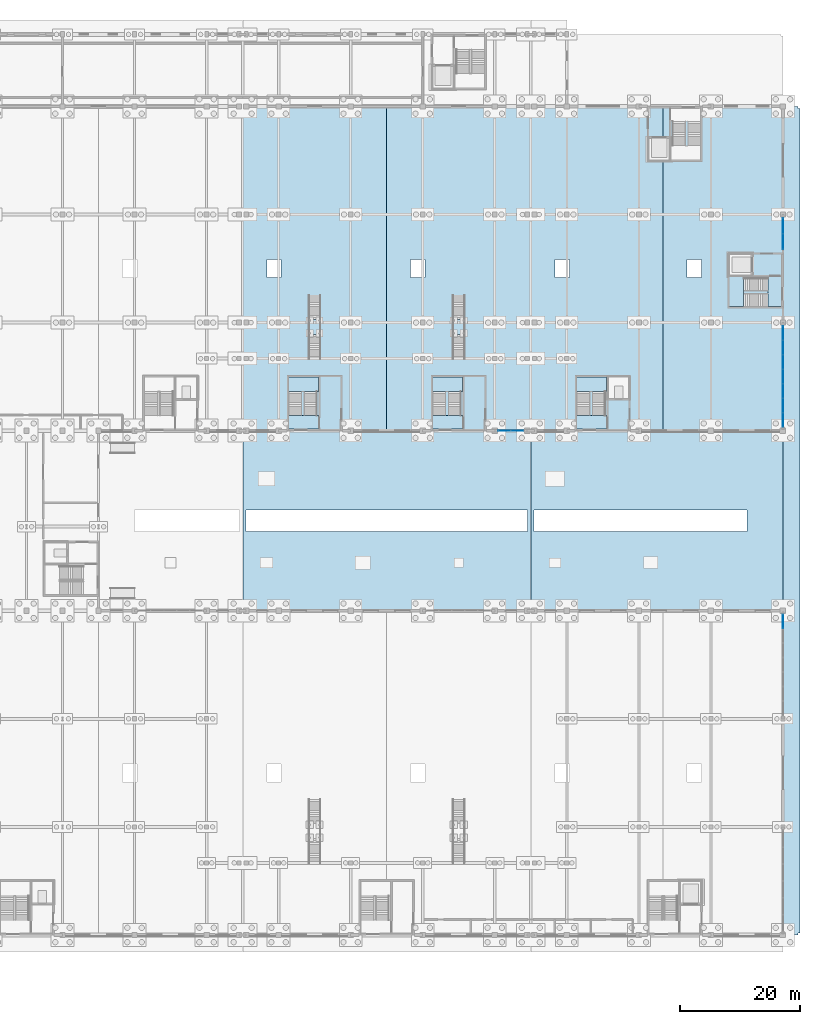
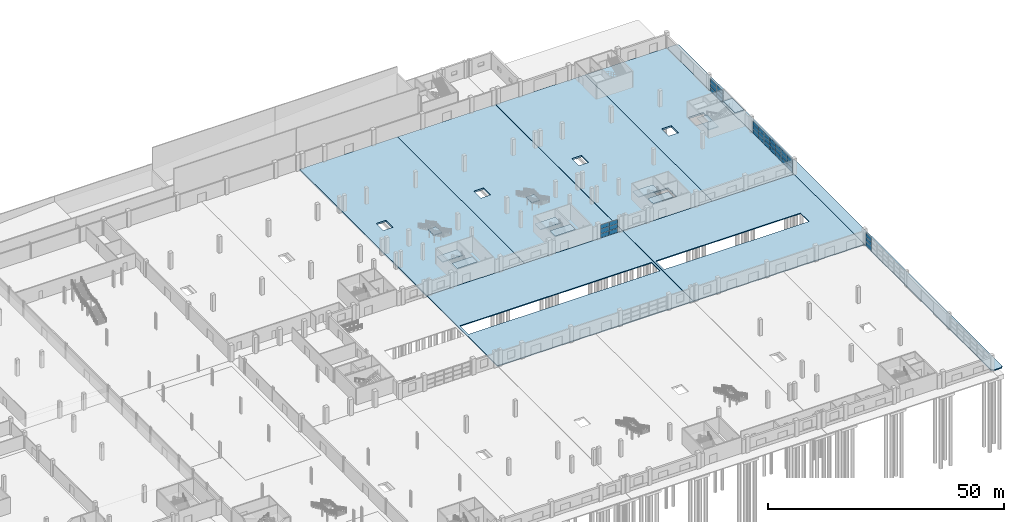
# One storey, part 50 of 77: 36 plates, 17 slabs, 10 elements without a shape of their own.
"""IFC4 building model written with IfcOpenShell, lengths in metres."""

from ifc_helpers import new_model, si_unit, direction, frame, origin, origin_2d, place, context, subcontext, project, spatial, polyline, rectangle, outline, extrude, material, layer, layer_set, type_object, element, aggregate, save


model = new_model("IFC4")

# Units and contexts
model_context = context("Model", 3, precision=1e-05, world=origin(), true_north=direction((0.0, 1.0)))
body_context = subcontext(model_context, "Body", "Model", "MODEL_VIEW")
ifc_project = project(units=[si_unit("LENGTHUNIT", "METRE"), si_unit("AREAUNIT", "SQUARE_METRE"), si_unit("VOLUMEUNIT", "CUBIC_METRE"), si_unit("PLANEANGLEUNIT", "RADIAN"), si_unit("MASSUNIT", "GRAM", prefix="KILO")], contexts=[model_context])

# Site, building, storey
site_placement = place(None, origin())
site = spatial("IfcSite", under=ifc_project, at=site_placement, CompositionType="ELEMENT")
building_placement = place(site_placement, origin())
building = spatial("IfcBuilding", under=site, at=building_placement, Name="Zilviju Railside Exhibition Hall", CompositionType="ELEMENT")
storey_placement = place(building_placement, origin())
storey = spatial("IfcBuildingStorey", under=building, at=storey_placement, Name="L01", CompositionType="ELEMENT", Elevation=0.0)

# Curtain wall, plates
ifc_material_1 = material(Name="Thermally broken aluminium-steel triple-glazed curtain wall", Category="steel")
ifc_layer_1 = layer(ifc_material_1, 0.179931640625)
ifc_layer_set_1 = layer_set([ifc_layer_1], Name="Thermally broken aluminium-steel triple-glazed curtain wall")
curtain_wall_type_1 = type_object("IfcCurtainWallType", Name="CW-BAY-03", PredefinedType="USERDEFINED", material=ifc_layer_set_1)
curtain_wall_1_placement = place(storey_placement, origin())
curtain_wall_1 = element("IfcCurtainWall", 1, at=curtain_wall_1_placement, inside=storey, type_object=curtain_wall_type_1, Name="North Hall East Glazed Gable L01 (84..102)", ObjectType="GLAZED CURTAIN WALL", PredefinedType="USERDEFINED")
ifc_material_2 = material(Name="Laminated acoustic double-glazed porch unit", Category="glass")
ifc_layer_2 = layer(ifc_material_2, 0.031982421875)
ifc_layer_set_2 = layer_set([ifc_layer_2], Name="Laminated acoustic double-glazed porch unit")
plate_type_1 = type_object("IfcPlateType", Name="CWP-IGU-32", PredefinedType="CURTAIN_PANEL", material=ifc_layer_set_2)
plate_1_placement = place(storey_placement, frame((216.0, 100.227783203125, 0.06005859375), z_axis=(0.0, 0.0, 1.0), x_axis=(0.0, -1.0, 0.0)))
plate_1 = element("IfcPlate", 2, at=plate_1_placement, type_object=plate_type_1, Name="CW-03 panel 1.1", PredefinedType="CURTAIN_PANEL", context=body_context, shape_type="SweptSolid", body=[
    extrude(rectangle(XDim=2.32421875, YDim=0.031982421875, at=origin_2d()), origin(), (0.0, 0.0, 1.0), 1.027099609375),
])
plate_2_placement = place(storey_placement, frame((216.0, 100.227783203125, 1.14697265625), z_axis=(0.0, 0.0, 1.0), x_axis=(0.0, -1.0, 0.0)))
plate_2 = element("IfcPlate", 3, at=plate_2_placement, type_object=plate_type_1, Name="CW-03 panel 1.2", PredefinedType="CURTAIN_PANEL", context=body_context, shape_type="SweptSolid", body=[
    extrude(rectangle(XDim=2.32421875, YDim=0.031982421875, at=origin_2d()), origin(), (0.0, 0.0, 1.0), 1.055908203125),
])
plate_3_placement = place(storey_placement, frame((216.0, 100.227783203125, 2.26318359375), z_axis=(0.0, 0.0, 1.0), x_axis=(0.0, -1.0, 0.0)))
plate_3 = element("IfcPlate", 4, at=plate_3_placement, type_object=plate_type_1, Name="CW-03 panel 1.3", PredefinedType="CURTAIN_PANEL", context=body_context, shape_type="SweptSolid", body=[
    extrude(rectangle(XDim=2.32421875, YDim=0.031982421875, at=origin_2d()), origin(), (0.0, 0.0, 1.0), 1.027099609375),
])
plate_4_placement = place(storey_placement, frame((216.0, 97.82861328125, 0.06005859375), z_axis=(0.0, 0.0, 1.0), x_axis=(0.0, -1.0, 0.0)))
plate_4 = element("IfcPlate", 5, at=plate_4_placement, type_object=plate_type_1, Name="CW-03 panel 2.1", PredefinedType="CURTAIN_PANEL", context=body_context, shape_type="SweptSolid", body=[
    extrude(rectangle(XDim=2.354248046875, YDim=0.031982421875, at=origin_2d()), origin(), (0.0, 0.0, 1.0), 1.027099609375),
])
plate_5_placement = place(storey_placement, frame((216.0, 97.82861328125, 1.14697265625), z_axis=(0.0, 0.0, 1.0), x_axis=(0.0, -1.0, 0.0)))
plate_5 = element("IfcPlate", 6, at=plate_5_placement, type_object=plate_type_1, Name="CW-03 panel 2.2", PredefinedType="CURTAIN_PANEL", context=body_context, shape_type="SweptSolid", body=[
    extrude(rectangle(XDim=2.354248046875, YDim=0.031982421875, at=origin_2d()), origin(), (0.0, 0.0, 1.0), 1.055908203125),
])
plate_6_placement = place(storey_placement, frame((216.0, 97.82861328125, 2.26318359375), z_axis=(0.0, 0.0, 1.0), x_axis=(0.0, -1.0, 0.0)))
plate_6 = element("IfcPlate", 7, at=plate_6_placement, type_object=plate_type_1, Name="CW-03 panel 2.3", PredefinedType="CURTAIN_PANEL", context=body_context, shape_type="SweptSolid", body=[
    extrude(rectangle(XDim=2.354248046875, YDim=0.031982421875, at=origin_2d()), origin(), (0.0, 0.0, 1.0), 1.027099609375),
])
plate_7_placement = place(storey_placement, frame((216.0, 95.414306640625, 0.06005859375), z_axis=(0.0, 0.0, 1.0), x_axis=(0.0, -1.0, 0.0)))
plate_7 = element("IfcPlate", 8, at=plate_7_placement, type_object=plate_type_1, Name="CW-03 panel 3.1", PredefinedType="CURTAIN_PANEL", context=body_context, shape_type="SweptSolid", body=[
    extrude(rectangle(XDim=2.354248046875, YDim=0.031982421875, at=origin_2d()), origin(), (0.0, 0.0, 1.0), 1.027099609375),
])
plate_8_placement = place(storey_placement, frame((216.0, 95.414306640625, 1.14697265625), z_axis=(0.0, 0.0, 1.0), x_axis=(0.0, -1.0, 0.0)))
plate_8 = element("IfcPlate", 9, at=plate_8_placement, type_object=plate_type_1, Name="CW-03 panel 3.2", PredefinedType="CURTAIN_PANEL", context=body_context, shape_type="SweptSolid", body=[
    extrude(rectangle(XDim=2.354248046875, YDim=0.031982421875, at=origin_2d()), origin(), (0.0, 0.0, 1.0), 1.055908203125),
])
plate_9_placement = place(storey_placement, frame((216.0, 95.414306640625, 2.26318359375), z_axis=(0.0, 0.0, 1.0), x_axis=(0.0, -1.0, 0.0)))
plate_9 = element("IfcPlate", 10, at=plate_9_placement, type_object=plate_type_1, Name="CW-03 panel 3.3", PredefinedType="CURTAIN_PANEL", context=body_context, shape_type="SweptSolid", body=[
    extrude(rectangle(XDim=2.354248046875, YDim=0.031982421875, at=origin_2d()), origin(), (0.0, 0.0, 1.0), 1.027099609375),
])
plate_10_placement = place(storey_placement, frame((216.0, 93.0, 0.06005859375), z_axis=(0.0, 0.0, 1.0), x_axis=(0.0, -1.0, 0.0)))
plate_10 = element("IfcPlate", 11, at=plate_10_placement, type_object=plate_type_1, Name="CW-03 panel 4.1", PredefinedType="CURTAIN_PANEL", context=body_context, shape_type="SweptSolid", body=[
    extrude(rectangle(XDim=2.354248046875, YDim=0.031982421875, at=origin_2d()), origin(), (0.0, 0.0, 1.0), 1.027099609375),
])
plate_11_placement = place(storey_placement, frame((216.0, 93.0, 1.14697265625), z_axis=(0.0, 0.0, 1.0), x_axis=(0.0, -1.0, 0.0)))
plate_11 = element("IfcPlate", 12, at=plate_11_placement, type_object=plate_type_1, Name="CW-03 panel 4.2", PredefinedType="CURTAIN_PANEL", context=body_context, shape_type="SweptSolid", body=[
    extrude(rectangle(XDim=2.354248046875, YDim=0.031982421875, at=origin_2d()), origin(), (0.0, 0.0, 1.0), 1.055908203125),
])
plate_12_placement = place(storey_placement, frame((216.0, 93.0, 2.26318359375), z_axis=(0.0, 0.0, 1.0), x_axis=(0.0, -1.0, 0.0)))
plate_12 = element("IfcPlate", 13, at=plate_12_placement, type_object=plate_type_1, Name="CW-03 panel 4.3", PredefinedType="CURTAIN_PANEL", context=body_context, shape_type="SweptSolid", body=[
    extrude(rectangle(XDim=2.354248046875, YDim=0.031982421875, at=origin_2d()), origin(), (0.0, 0.0, 1.0), 1.027099609375),
])
plate_13_placement = place(storey_placement, frame((216.0, 90.585693359375, 0.06005859375), z_axis=(0.0, 0.0, 1.0), x_axis=(0.0, -1.0, 0.0)))
plate_13 = element("IfcPlate", 14, at=plate_13_placement, type_object=plate_type_1, Name="CW-03 panel 5.1", PredefinedType="CURTAIN_PANEL", context=body_context, shape_type="SweptSolid", body=[
    extrude(rectangle(XDim=2.354248046875, YDim=0.031982421875, at=origin_2d()), origin(), (0.0, 0.0, 1.0), 1.027099609375),
])
plate_14_placement = place(storey_placement, frame((216.0, 90.585693359375, 1.14697265625), z_axis=(0.0, 0.0, 1.0), x_axis=(0.0, -1.0, 0.0)))
plate_14 = element("IfcPlate", 15, at=plate_14_placement, type_object=plate_type_1, Name="CW-03 panel 5.2", PredefinedType="CURTAIN_PANEL", context=body_context, shape_type="SweptSolid", body=[
    extrude(rectangle(XDim=2.354248046875, YDim=0.031982421875, at=origin_2d()), origin(), (0.0, 0.0, 1.0), 1.055908203125),
])
plate_15_placement = place(storey_placement, frame((216.0, 90.585693359375, 2.26318359375), z_axis=(0.0, 0.0, 1.0), x_axis=(0.0, -1.0, 0.0)))
plate_15 = element("IfcPlate", 16, at=plate_15_placement, type_object=plate_type_1, Name="CW-03 panel 5.3", PredefinedType="CURTAIN_PANEL", context=body_context, shape_type="SweptSolid", body=[
    extrude(rectangle(XDim=2.354248046875, YDim=0.031982421875, at=origin_2d()), origin(), (0.0, 0.0, 1.0), 1.027099609375),
])
plate_16_placement = place(storey_placement, frame((216.0, 88.17138671875, 0.06005859375), z_axis=(0.0, 0.0, 1.0), x_axis=(0.0, -1.0, 0.0)))
plate_16 = element("IfcPlate", 17, at=plate_16_placement, type_object=plate_type_1, Name="CW-03 panel 6.1", PredefinedType="CURTAIN_PANEL", context=body_context, shape_type="SweptSolid", body=[
    extrude(rectangle(XDim=2.354248046875, YDim=0.031982421875, at=origin_2d()), origin(), (0.0, 0.0, 1.0), 1.027099609375),
])
plate_17_placement = place(storey_placement, frame((216.0, 88.17138671875, 1.14697265625), z_axis=(0.0, 0.0, 1.0), x_axis=(0.0, -1.0, 0.0)))
plate_17 = element("IfcPlate", 18, at=plate_17_placement, type_object=plate_type_1, Name="CW-03 panel 6.2", PredefinedType="CURTAIN_PANEL", context=body_context, shape_type="SweptSolid", body=[
    extrude(rectangle(XDim=2.354248046875, YDim=0.031982421875, at=origin_2d()), origin(), (0.0, 0.0, 1.0), 1.055908203125),
])
plate_18_placement = place(storey_placement, frame((216.0, 88.17138671875, 2.26318359375), z_axis=(0.0, 0.0, 1.0), x_axis=(0.0, -1.0, 0.0)))
plate_18 = element("IfcPlate", 19, at=plate_18_placement, type_object=plate_type_1, Name="CW-03 panel 6.3", PredefinedType="CURTAIN_PANEL", context=body_context, shape_type="SweptSolid", body=[
    extrude(rectangle(XDim=2.354248046875, YDim=0.031982421875, at=origin_2d()), origin(), (0.0, 0.0, 1.0), 1.027099609375),
])
plate_19_placement = place(storey_placement, frame((216.0, 85.772216796875, 0.06005859375), z_axis=(0.0, 0.0, 1.0), x_axis=(0.0, -1.0, 0.0)))
plate_19 = element("IfcPlate", 20, at=plate_19_placement, type_object=plate_type_1, Name="CW-03 panel 7.1", PredefinedType="CURTAIN_PANEL", context=body_context, shape_type="SweptSolid", body=[
    extrude(rectangle(XDim=2.32421875, YDim=0.031982421875, at=origin_2d()), origin(), (0.0, 0.0, 1.0), 1.027099609375),
])
plate_20_placement = place(storey_placement, frame((216.0, 85.772216796875, 1.14697265625), z_axis=(0.0, 0.0, 1.0), x_axis=(0.0, -1.0, 0.0)))
plate_20 = element("IfcPlate", 21, at=plate_20_placement, type_object=plate_type_1, Name="CW-03 panel 7.2", PredefinedType="CURTAIN_PANEL", context=body_context, shape_type="SweptSolid", body=[
    extrude(rectangle(XDim=2.32421875, YDim=0.031982421875, at=origin_2d()), origin(), (0.0, 0.0, 1.0), 1.055908203125),
])
plate_21_placement = place(storey_placement, frame((216.0, 85.772216796875, 2.26318359375), z_axis=(0.0, 0.0, 1.0), x_axis=(0.0, -1.0, 0.0)))
plate_21 = element("IfcPlate", 22, at=plate_21_placement, type_object=plate_type_1, Name="CW-03 panel 7.3", PredefinedType="CURTAIN_PANEL", context=body_context, shape_type="SweptSolid", body=[
    extrude(rectangle(XDim=2.32421875, YDim=0.031982421875, at=origin_2d()), origin(), (0.0, 0.0, 1.0), 1.027099609375),
])
aggregate(curtain_wall_1, [plate_1, plate_2, plate_3, plate_4, plate_5, plate_6, plate_7, plate_8, plate_9, plate_10, plate_11, plate_12, plate_13, plate_14, plate_15, plate_16, plate_17, plate_18, plate_19, plate_20, plate_21])

ifc_layer_3 = layer(ifc_material_1, 0.179931640625)
ifc_layer_set_3 = layer_set([ifc_layer_3], Name="Thermally broken aluminium-steel triple-glazed curtain wall")
curtain_wall_type_2 = type_object("IfcCurtainWallType", Name="CW-BAY-02", PredefinedType="USERDEFINED", material=ifc_layer_set_3)
curtain_wall_2_placement = place(storey_placement, origin())
curtain_wall_2 = element("IfcCurtainWall", 23, at=curtain_wall_2_placement, inside=storey, type_object=curtain_wall_type_2, Name="North Hall Garden Court Curtain Wall L01 (168..173)", ObjectType="GLAZED CURTAIN WALL", PredefinedType="USERDEFINED")
ifc_material_3 = material(Name="Triple-glazed solar-control glass unit", Category="glass")
ifc_layer_4 = layer(ifc_material_3, 0.0380859375)
ifc_layer_set_4 = layer_set([ifc_layer_4], Name="Triple-glazed solar-control glass unit")
plate_type_2 = type_object("IfcPlateType", Name="CWP-IGU-38", PredefinedType="CURTAIN_PANEL", material=ifc_layer_set_4)
plate_22_placement = place(storey_placement, frame((171.7587890625, 84.0, 0.06494140625), z_axis=(0.0, 0.0, 1.0), x_axis=(-1.0, 0.0, 0.0)))
plate_22 = element("IfcPlate", 24, at=plate_22_placement, type_object=plate_type_2, Name="CW-02 panel 1.1", PredefinedType="CURTAIN_PANEL", context=body_context, shape_type="SweptSolid", body=[
    extrude(rectangle(XDim=2.052490234375, YDim=0.0380859375, at=origin_2d()), origin(), (0.0, 0.0, 1.0), 1.052490234375),
])
plate_23_placement = place(storey_placement, frame((171.7587890625, 84.0, 1.1826171875), z_axis=(0.0, 0.0, 1.0), x_axis=(-1.0, 0.0, 0.0)))
plate_23 = element("IfcPlate", 25, at=plate_23_placement, type_object=plate_type_2, Name="CW-02 panel 1.2", PredefinedType="CURTAIN_PANEL", context=body_context, shape_type="SweptSolid", body=[
    extrude(rectangle(XDim=2.052490234375, YDim=0.0380859375, at=origin_2d()), origin(), (0.0, 0.0, 1.0), 1.0849609375),
])
plate_24_placement = place(storey_placement, frame((171.7587890625, 84.0, 2.33251953125), z_axis=(0.0, 0.0, 1.0), x_axis=(-1.0, 0.0, 0.0)))
plate_24 = element("IfcPlate", 26, at=plate_24_placement, type_object=plate_type_2, Name="CW-02 panel 1.3", PredefinedType="CURTAIN_PANEL", context=body_context, shape_type="SweptSolid", body=[
    extrude(rectangle(XDim=2.052490234375, YDim=0.0380859375, at=origin_2d()), origin(), (0.0, 0.0, 1.0), 1.052490234375),
])
plate_25_placement = place(storey_placement, frame((169.641357421875, 84.0, 0.06494140625), z_axis=(0.0, 0.0, 1.0), x_axis=(-1.0, 0.0, 0.0)))
plate_25 = element("IfcPlate", 27, at=plate_25_placement, type_object=plate_type_2, Name="CW-02 panel 2.1", PredefinedType="CURTAIN_PANEL", context=body_context, shape_type="SweptSolid", body=[
    extrude(rectangle(XDim=2.052490234375, YDim=0.0380859375, at=origin_2d()), origin(), (0.0, 0.0, 1.0), 1.052490234375),
])
plate_26_placement = place(storey_placement, frame((169.641357421875, 84.0, 1.1826171875), z_axis=(0.0, 0.0, 1.0), x_axis=(-1.0, 0.0, 0.0)))
plate_26 = element("IfcPlate", 28, at=plate_26_placement, type_object=plate_type_2, Name="CW-02 panel 2.2", PredefinedType="CURTAIN_PANEL", context=body_context, shape_type="SweptSolid", body=[
    extrude(rectangle(XDim=2.052490234375, YDim=0.0380859375, at=origin_2d()), origin(), (0.0, 0.0, 1.0), 1.0849609375),
])
plate_27_placement = place(storey_placement, frame((169.641357421875, 84.0, 2.33251953125), z_axis=(0.0, 0.0, 1.0), x_axis=(-1.0, 0.0, 0.0)))
plate_27 = element("IfcPlate", 29, at=plate_27_placement, type_object=plate_type_2, Name="CW-02 panel 2.3", PredefinedType="CURTAIN_PANEL", context=body_context, shape_type="SweptSolid", body=[
    extrude(rectangle(XDim=2.052490234375, YDim=0.0380859375, at=origin_2d()), origin(), (0.0, 0.0, 1.0), 1.052490234375),
])
aggregate(curtain_wall_2, [plate_22, plate_23, plate_24, plate_25, plate_26, plate_27])

ifc_layer_5 = layer(ifc_material_1, 0.179931640625)
ifc_layer_set_5 = layer_set([ifc_layer_5], Name="Thermally broken aluminium-steel triple-glazed curtain wall")
curtain_wall_type_3 = type_object("IfcCurtainWallType", Name="CW-BAY-04", PredefinedType="USERDEFINED", material=ifc_layer_set_5)
curtain_wall_3_placement = place(storey_placement, origin())
curtain_wall_3 = element("IfcCurtainWall", 30, at=curtain_wall_3_placement, inside=storey, type_object=curtain_wall_type_3, Name="North Hall East Glazed Gable L01 (114..120)", ObjectType="GLAZED CURTAIN WALL", PredefinedType="USERDEFINED")
ifc_material_4 = material(Name="Insulated cobalt-blue enamelled spandrel glass panel", Category="glass")
ifc_layer_6 = layer(ifc_material_4, 0.052001953125)
ifc_layer_set_6 = layer_set([ifc_layer_6], Name="Insulated cobalt-blue enamelled spandrel glass panel")
plate_type_3 = type_object("IfcPlateType", Name="CWP-SPD-52", PredefinedType="CURTAIN_PANEL", material=ifc_layer_set_6)
plate_28_placement = place(storey_placement, frame((216.0, 118.10498046875, 0.080078125), z_axis=(0.0, 0.0, 1.0), x_axis=(0.0, -1.0, 0.0)))
plate_28 = element("IfcPlate", 31, at=plate_28_placement, type_object=plate_type_3, Name="CW-04 panel 1.1", PredefinedType="CURTAIN_PANEL", context=body_context, shape_type="SweptSolid", body=[
    extrude(rectangle(XDim=2.530029296875, YDim=0.052001953125, at=origin_2d()), origin(), (0.0, 0.0, 1.0), 0.9970703125),
])
plate_29_placement = place(storey_placement, frame((216.0, 118.10498046875, 1.1572265625), z_axis=(0.0, 0.0, 1.0), x_axis=(0.0, -1.0, 0.0)))
plate_29 = element("IfcPlate", 32, at=plate_29_placement, type_object=plate_type_3, Name="CW-04 panel 1.2", PredefinedType="CURTAIN_PANEL", context=body_context, shape_type="SweptSolid", body=[
    extrude(rectangle(XDim=2.530029296875, YDim=0.052001953125, at=origin_2d()), origin(), (0.0, 0.0, 1.0), 1.035888671875),
])
plate_30_placement = place(storey_placement, frame((216.0, 118.10498046875, 2.27294921875), z_axis=(0.0, 0.0, 1.0), x_axis=(0.0, -1.0, 0.0)))
plate_30 = element("IfcPlate", 33, at=plate_30_placement, type_object=plate_type_3, Name="CW-04 panel 1.3", PredefinedType="CURTAIN_PANEL", context=body_context, shape_type="SweptSolid", body=[
    extrude(rectangle(XDim=2.530029296875, YDim=0.052001953125, at=origin_2d()), origin(), (0.0, 0.0, 1.0), 0.9970703125),
])
plate_31_placement = place(storey_placement, frame((216.0, 115.4951171875, 0.080078125), z_axis=(0.0, 0.0, 1.0), x_axis=(0.0, -1.0, 0.0)))
plate_31 = element("IfcPlate", 34, at=plate_31_placement, type_object=plate_type_3, Name="CW-04 panel 2.1", PredefinedType="CURTAIN_PANEL", context=body_context, shape_type="SweptSolid", body=[
    extrude(rectangle(XDim=2.530029296875, YDim=0.052001953125, at=origin_2d()), origin(), (0.0, 0.0, 1.0), 0.9970703125),
])
plate_32_placement = place(storey_placement, frame((216.0, 115.4951171875, 1.1572265625), z_axis=(0.0, 0.0, 1.0), x_axis=(0.0, -1.0, 0.0)))
plate_32 = element("IfcPlate", 35, at=plate_32_placement, type_object=plate_type_3, Name="CW-04 panel 2.2", PredefinedType="CURTAIN_PANEL", context=body_context, shape_type="SweptSolid", body=[
    extrude(rectangle(XDim=2.530029296875, YDim=0.052001953125, at=origin_2d()), origin(), (0.0, 0.0, 1.0), 1.035888671875),
])
plate_33_placement = place(storey_placement, frame((216.0, 115.4951171875, 2.27294921875), z_axis=(0.0, 0.0, 1.0), x_axis=(0.0, -1.0, 0.0)))
plate_33 = element("IfcPlate", 36, at=plate_33_placement, type_object=plate_type_3, Name="CW-04 panel 2.3", PredefinedType="CURTAIN_PANEL", context=body_context, shape_type="SweptSolid", body=[
    extrude(rectangle(XDim=2.530029296875, YDim=0.052001953125, at=origin_2d()), origin(), (0.0, 0.0, 1.0), 0.9970703125),
])
aggregate(curtain_wall_3, [plate_28, plate_29, plate_30, plate_31, plate_32, plate_33])

ifc_layer_7 = layer(ifc_material_1, 0.179931640625)
ifc_layer_set_7 = layer_set([ifc_layer_7], Name="Thermally broken aluminium-steel triple-glazed curtain wall")
curtain_wall_type_4 = type_object("IfcCurtainWallType", Name="CW-BAY-05", PredefinedType="USERDEFINED", material=ifc_layer_set_7)
curtain_wall_4_placement = place(storey_placement, origin())
curtain_wall_4 = element("IfcCurtainWall", 37, at=curtain_wall_4_placement, inside=storey, type_object=curtain_wall_type_4, Name="South Hall East Glazed Gable L01 (36..54)", ObjectType="GLAZED CURTAIN WALL", PredefinedType="USERDEFINED")
ifc_material_5 = material(Name="Insulated emerald ceramic-frit spandrel panel", Category="glass")
ifc_layer_8 = layer(ifc_material_5, 0.06396484375)
ifc_layer_set_8 = layer_set([ifc_layer_8], Name="Insulated emerald ceramic-frit spandrel panel")
plate_type_4 = type_object("IfcPlateType", Name="CWP-SPD-64", PredefinedType="CURTAIN_PANEL", material=ifc_layer_set_8)
plate_34_placement = place(storey_placement, frame((216.0, 52.22412109375, 0.07470703125), z_axis=(0.0, 0.0, 1.0), x_axis=(0.0, -1.0, 0.0)))
plate_34 = element("IfcPlate", 38, at=plate_34_placement, type_object=plate_type_4, Name="CW-05 panel 1.1", PredefinedType="CURTAIN_PANEL", context=body_context, shape_type="SweptSolid", body=[
    extrude(rectangle(XDim=2.3017578125, YDim=0.06396484375, at=origin_2d()), origin(), (0.0, 0.0, 1.0), 1.047607421875),
])
plate_35_placement = place(storey_placement, frame((216.0, 52.22412109375, 1.197509765625), z_axis=(0.0, 0.0, 1.0), x_axis=(0.0, -1.0, 0.0)))
plate_35 = element("IfcPlate", 39, at=plate_35_placement, type_object=plate_type_4, Name="CW-05 panel 1.2", PredefinedType="CURTAIN_PANEL", context=body_context, shape_type="SweptSolid", body=[
    extrude(rectangle(XDim=2.3017578125, YDim=0.06396484375, at=origin_2d()), origin(), (0.0, 0.0, 1.0), 1.0849609375),
])
plate_36_placement = place(storey_placement, frame((216.0, 52.22412109375, 2.357421875), z_axis=(0.0, 0.0, 1.0), x_axis=(0.0, -1.0, 0.0)))
plate_36 = element("IfcPlate", 40, at=plate_36_placement, type_object=plate_type_4, Name="CW-05 panel 1.3", PredefinedType="CURTAIN_PANEL", context=body_context, shape_type="SweptSolid", body=[
    extrude(rectangle(XDim=2.3017578125, YDim=0.06396484375, at=origin_2d()), origin(), (0.0, 0.0, 1.0), 1.047607421875),
])
aggregate(curtain_wall_4, [plate_34, plate_35, plate_36])

# Slabs
ifc_material_6 = material(Name="Concrete C40/50", Category="concrete")
ifc_layer_9 = layer(ifc_material_6, 0.25)
ifc_layer_set_9 = layer_set([ifc_layer_9], Name="Concrete C40/50")
slab_type_1 = type_object("IfcSlabType", Name="SL-BASE-250-EXT", PredefinedType="BASESLAB", material=ifc_layer_set_9)
slab_1_placement = place(storey_placement, frame((0.0, 0.0, -0.25)))
element("IfcSlab", 41, at=slab_1_placement, inside=storey, type_object=slab_type_1, Name="East Gable Exit Apron", PredefinedType="BASESLAB", context=body_context, shape_type="SweptSolid", body=[
    extrude(outline(polyline([(216.300048828125, 0.0), (218.5, 0.0), (218.5, 0.300048828125), (218.800048828125, 0.300048828125), (218.800048828125, 137.699951171875), (218.5, 137.699951171875), (218.5, 138.0), (216.300048828125, 138.0), (216.300048828125, 137.699951171875), (216.0, 137.699951171875), (216.0, 0.300048828125), (216.300048828125, 0.300048828125), (216.300048828125, 0.0)])), origin(), (0.0, 0.0, 1.0), 0.25),
])
slab_2_placement = place(storey_placement, frame((0.0, 0.0, -0.25)))
element("IfcSlab", 42, at=slab_2_placement, inside=storey, type_object=slab_type_1, Name="Central Water-Channel Garden Court Paving Mid", PredefinedType="BASESLAB", context=body_context, shape_type="SweptSolid", body=[
    extrude(outline(polyline([(126.030029296875, 54.0), (173.969970703125, 54.0), (173.969970703125, 84.0), (126.030029296875, 84.0), (126.030029296875, 54.0)]), holes=[polyline([(126.530029296875, 67.199951171875), (173.469970703125, 67.199951171875), (173.469970703125, 70.800048828125), (126.530029296875, 70.800048828125), (126.530029296875, 67.199951171875)])]), origin(), (0.0, 0.0, 1.0), 0.25),
])
slab_3_placement = place(storey_placement, frame((0.0, 0.0, -0.25)))
element("IfcSlab", 43, at=slab_3_placement, inside=storey, type_object=slab_type_1, Name="Central Water-Channel Garden Court Paving East", PredefinedType="BASESLAB", context=body_context, shape_type="SweptSolid", body=[
    extrude(outline(polyline([(174.030029296875, 54.0), (216.0, 54.0), (216.0, 84.0), (174.030029296875, 84.0), (174.030029296875, 54.0)]), holes=[polyline([(174.530029296875, 67.199951171875), (210.0, 67.199951171875), (210.0, 70.800048828125), (174.530029296875, 70.800048828125), (174.530029296875, 67.199951171875)])]), origin(), (0.0, 0.0, 1.0), 0.25),
])
ifc_layer_10 = layer(ifc_material_6, 0.419921875)
ifc_layer_set_10 = layer_set([ifc_layer_10], Name="Concrete C40/50")
slab_type_2 = type_object("IfcSlabType", Name="SL-BASE-420", PredefinedType="BASESLAB", material=ifc_layer_set_10)
slab_4_placement = place(storey_placement, frame((0.0, 0.0, -0.419921875)))
element("IfcSlab", 44, at=slab_4_placement, inside=storey, type_object=slab_type_2, Name="North Hall Base Slab Panel 3", PredefinedType="BASESLAB", context=body_context, shape_type="SweptSolid", body=[
    extrude(outline(polyline([(126.030029296875, 84.0), (150.0, 84.0), (150.0, 138.0), (126.030029296875, 138.0), (126.030029296875, 84.0)]), holes=[polyline([(130.030029296875, 109.5), (132.429931640625, 109.5), (132.429931640625, 112.5), (130.030029296875, 112.5), (130.030029296875, 109.5)])]), origin(), (0.0, 0.0, 1.0), 0.419921875),
])
slab_5_placement = place(storey_placement, frame((0.0, 0.0, -0.419921875)))
element("IfcSlab", 45, at=slab_5_placement, inside=storey, type_object=slab_type_2, Name="North Hall Base Slab Panel 4", PredefinedType="BASESLAB", context=body_context, shape_type="SweptSolid", body=[
    extrude(outline(polyline([(150.0, 84.0), (173.969970703125, 84.0), (173.969970703125, 138.0), (150.0, 138.0), (150.0, 84.0)]), holes=[polyline([(154.0, 109.5), (156.39990234375, 109.5), (156.39990234375, 112.5), (154.0, 112.5), (154.0, 109.5)])]), origin(), (0.0, 0.0, 1.0), 0.419921875),
])
slab_6_placement = place(storey_placement, frame((0.0, 0.0, -0.419921875)))
element("IfcSlab", 46, at=slab_6_placement, inside=storey, type_object=slab_type_2, Name="North Hall Base Slab Panel 5", PredefinedType="BASESLAB", context=body_context, shape_type="SweptSolid", body=[
    extrude(outline(polyline([(174.030029296875, 84.0), (196.0, 84.0), (196.0, 138.0), (174.030029296875, 138.0), (174.030029296875, 84.0)]), holes=[polyline([(178.030029296875, 109.5), (180.429931640625, 109.5), (180.429931640625, 112.5), (178.030029296875, 112.5), (178.030029296875, 109.5)]), polyline([(186.89990234375, 89.300048828125), (190.35009765625, 89.300048828125), (190.35009765625, 92.949951171875), (186.89990234375, 92.949951171875), (186.89990234375, 89.300048828125)])]), origin(), (0.0, 0.0, 1.0), 0.419921875),
])
slab_7_placement = place(storey_placement, frame((0.0, 0.0, -0.419921875)))
element("IfcSlab", 47, at=slab_7_placement, inside=storey, type_object=slab_type_2, Name="North Hall Base Slab Panel 6", PredefinedType="BASESLAB", context=body_context, shape_type="SweptSolid", body=[
    extrude(outline(polyline([(196.0, 84.0), (216.0, 84.0), (216.0, 138.0), (196.0, 138.0), (196.0, 84.0)]), holes=[polyline([(200.0, 109.5), (202.39990234375, 109.5), (202.39990234375, 112.5), (200.0, 112.5), (200.0, 109.5)]), polyline([(207.050048828125, 109.89990234375), (210.699951171875, 109.89990234375), (210.699951171875, 113.35009765625), (207.050048828125, 113.35009765625), (207.050048828125, 109.89990234375)])]), origin(), (0.0, 0.0, 1.0), 0.419921875),
])

# Stair, slabs
ifc_material_7 = material(Name="Concrete C35/45", Category="concrete")
stair_type_1 = type_object("IfcStairType", Name="STAIR-ST-B", PredefinedType="HALF_TURN_STAIR", material=ifc_material_7)
stair_1_placement = place(storey_placement, origin())
stair_1 = element("IfcStair", 48, at=stair_1_placement, inside=storey, type_object=stair_type_1, Name="Core C05 North Hall Court MidW Exit Stair L01", PredefinedType="HALF_TURN_STAIR")
ifc_layer_11 = layer(ifc_material_7, 0.199951171875)
ifc_layer_set_11 = layer_set([ifc_layer_11], Name="Concrete C35/45")
slab_type_3 = type_object("IfcSlabType", Name="SL-LAND-200", PredefinedType="LANDING", material=ifc_layer_set_11)
slab_8_placement = place(storey_placement, frame((0.0, 0.0, 1.89990234375)))
slab_8 = element("IfcSlab", 49, at=slab_8_placement, type_object=slab_type_3, Name="ST-05 landing 1", PredefinedType="LANDING", context=body_context, shape_type="SweptSolid", body=[
    extrude(outline(polyline([(133.64990234375, 90.530029296875), (138.64990234375, 90.530029296875), (138.64990234375, 92.949951171875), (133.64990234375, 92.949951171875), (133.64990234375, 90.530029296875)])), origin(), (0.0, 0.0, 1.0), 0.2001953125),
])
slab_9_placement = place(storey_placement, frame((0.0, 0.0, 4.0)))
slab_9 = element("IfcSlab", 50, at=slab_9_placement, type_object=slab_type_3, Name="ST-05 landing 2", PredefinedType="LANDING", context=body_context, shape_type="SweptSolid", body=[
    extrude(outline(polyline([(133.64990234375, 84.25), (138.64990234375, 84.25), (138.64990234375, 86.5), (133.64990234375, 86.5), (133.64990234375, 84.25)])), origin(), (0.0, 0.0, 1.0), 0.199951171875),
])
aggregate(stair_1, [slab_8, slab_9])

stair_type_2 = type_object("IfcStairType", Name="STAIR-ST-C", PredefinedType="HALF_TURN_STAIR", material=ifc_material_7)
stair_2_placement = place(storey_placement, origin())
stair_2 = element("IfcStair", 51, at=stair_2_placement, inside=storey, type_object=stair_type_2, Name="Core C06 North Hall Court MidE Exit Stair L01", PredefinedType="HALF_TURN_STAIR")
slab_10_placement = place(storey_placement, frame((0.0, 0.0, 1.89990234375)))
slab_10 = element("IfcSlab", 52, at=slab_10_placement, type_object=slab_type_3, Name="ST-06 landing 1", PredefinedType="LANDING", context=body_context, shape_type="SweptSolid", body=[
    extrude(outline(polyline([(157.64990234375, 90.530029296875), (162.64990234375, 90.530029296875), (162.64990234375, 92.949951171875), (157.64990234375, 92.949951171875), (157.64990234375, 90.530029296875)])), origin(), (0.0, 0.0, 1.0), 0.2001953125),
])
slab_11_placement = place(storey_placement, frame((0.0, 0.0, 4.0)))
slab_11 = element("IfcSlab", 53, at=slab_11_placement, type_object=slab_type_3, Name="ST-06 landing 2", PredefinedType="LANDING", context=body_context, shape_type="SweptSolid", body=[
    extrude(outline(polyline([(157.64990234375, 84.25), (162.64990234375, 84.25), (162.64990234375, 86.5), (157.64990234375, 86.5), (157.64990234375, 84.25)])), origin(), (0.0, 0.0, 1.0), 0.199951171875),
])
aggregate(stair_2, [slab_10, slab_11])

stair_type_3 = type_object("IfcStairType", Name="STAIR-ST-A", PredefinedType="HALF_TURN_STAIR", material=ifc_material_7)
stair_3_placement = place(storey_placement, origin())
stair_3 = element("IfcStair", 54, at=stair_3_placement, inside=storey, type_object=stair_type_3, Name="Core C07 North Hall Court East Exit Stair L01", PredefinedType="HALF_TURN_STAIR")
slab_12_placement = place(storey_placement, frame((0.0, 0.0, 1.89990234375)))
slab_12 = element("IfcSlab", 55, at=slab_12_placement, type_object=slab_type_3, Name="ST-07 landing 1", PredefinedType="LANDING", context=body_context, shape_type="SweptSolid", body=[
    extrude(outline(polyline([(181.64990234375, 90.530029296875), (186.64990234375, 90.530029296875), (186.64990234375, 92.949951171875), (181.64990234375, 92.949951171875), (181.64990234375, 90.530029296875)])), origin(), (0.0, 0.0, 1.0), 0.2001953125),
])
slab_13_placement = place(storey_placement, frame((0.0, 0.0, 4.0)))
slab_13 = element("IfcSlab", 56, at=slab_13_placement, type_object=slab_type_3, Name="ST-07 landing 2", PredefinedType="LANDING", context=body_context, shape_type="SweptSolid", body=[
    extrude(outline(polyline([(181.64990234375, 84.25), (186.64990234375, 84.25), (186.64990234375, 86.5), (181.64990234375, 86.5), (181.64990234375, 84.25)])), origin(), (0.0, 0.0, 1.0), 0.199951171875),
])
aggregate(stair_3, [slab_12, slab_13])

stair_4_placement = place(storey_placement, origin())
stair_4 = element("IfcStair", 57, at=stair_4_placement, inside=storey, type_object=stair_type_2, Name="Core C09 North Hall Gable East Exit Stair L01", PredefinedType="HALF_TURN_STAIR")
slab_14_placement = place(storey_placement, frame((0.0, 0.0, 1.89990234375)))
slab_14 = element("IfcSlab", 58, at=slab_14_placement, type_object=slab_type_3, Name="ST-09 landing 1", PredefinedType="LANDING", context=body_context, shape_type="SweptSolid", body=[
    extrude(outline(polyline([(209.469970703125, 104.64990234375), (209.469970703125, 109.64990234375), (207.050048828125, 109.64990234375), (207.050048828125, 104.64990234375), (209.469970703125, 104.64990234375)])), origin(), (0.0, 0.0, 1.0), 0.2001953125),
])
slab_15_placement = place(storey_placement, frame((0.0, 0.0, 4.0)))
slab_15 = element("IfcSlab", 59, at=slab_15_placement, type_object=slab_type_3, Name="ST-09 landing 2", PredefinedType="LANDING", context=body_context, shape_type="SweptSolid", body=[
    extrude(outline(polyline([(215.75, 104.64990234375), (215.75, 109.64990234375), (213.5, 109.64990234375), (213.5, 104.64990234375), (215.75, 104.64990234375)])), origin(), (0.0, 0.0, 1.0), 0.199951171875),
])
aggregate(stair_4, [slab_14, slab_15])

# Stair, slab
stair_type_4 = type_object("IfcStairType", Name="STAIR-ST-FEAT2", PredefinedType="STRAIGHT_RUN_STAIR", material=ifc_material_7)
stair_5_placement = place(storey_placement, origin())
stair_5 = element("IfcStair", 60, at=stair_5_placement, inside=storey, type_object=stair_type_4, Name="Grand Straight Feature Stair ST-22", PredefinedType="STRAIGHT_RUN_STAIR")
slab_16_placement = place(storey_placement, frame((0.0, 0.0, 1.89990234375)))
slab_16 = element("IfcSlab", 61, at=slab_16_placement, type_object=slab_type_3, Name="ST-22 landing 1", PredefinedType="LANDING", context=body_context, shape_type="SweptSolid", body=[
    extrude(outline(polyline([(137.0, 100.030029296875), (139.0, 100.030029296875), (139.0, 102.530029296875), (137.0, 102.530029296875), (137.0, 100.030029296875)])), origin(), (0.0, 0.0, 1.0), 0.2001953125),
])
aggregate(stair_5, [slab_16])

stair_6_placement = place(storey_placement, origin())
stair_6 = element("IfcStair", 62, at=stair_6_placement, inside=storey, type_object=stair_type_4, Name="Grand Straight Feature Stair ST-23", PredefinedType="STRAIGHT_RUN_STAIR")
slab_17_placement = place(storey_placement, frame((0.0, 0.0, 1.89990234375)))
slab_17 = element("IfcSlab", 63, at=slab_17_placement, type_object=slab_type_3, Name="ST-23 landing 1", PredefinedType="LANDING", context=body_context, shape_type="SweptSolid", body=[
    extrude(outline(polyline([(161.0, 100.030029296875), (163.0, 100.030029296875), (163.0, 102.530029296875), (161.0, 102.530029296875), (161.0, 100.030029296875)])), origin(), (0.0, 0.0, 1.0), 0.2001953125),
])
aggregate(stair_6, [slab_17])

save(model, "model.ifc")
